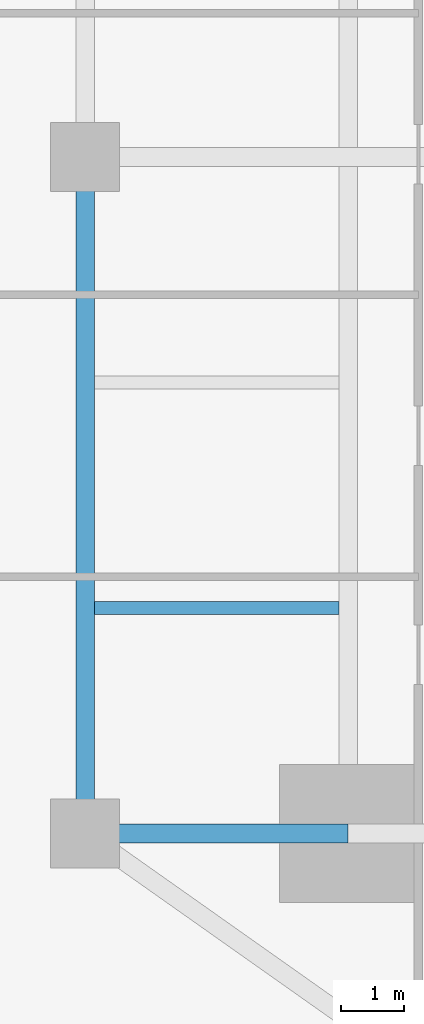
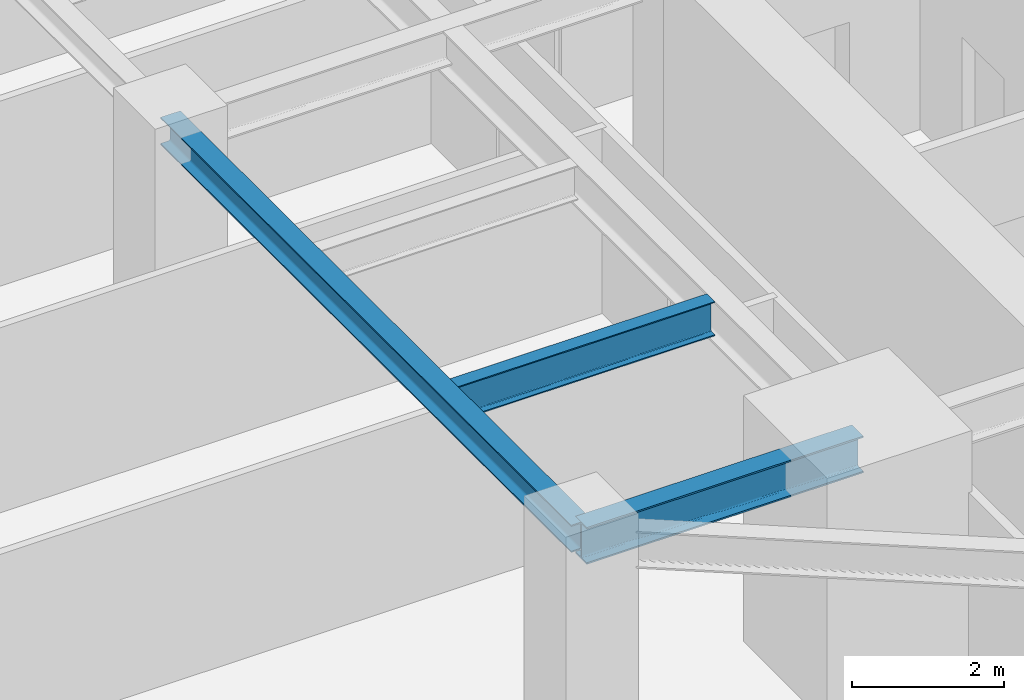
# One storey, part 7 of 29: 3 beams.
"""IFC4 building model written with IfcOpenShell, lengths in metres."""

from ifc_helpers import new_model, si_unit, direction, frame, origin, origin_2d, place, context, subcontext, project, spatial, i_section, extrude, source, transform, mapped, material, material_profile, profile_set, type_object, type_shapes, element, save


model = new_model("IFC4")

# Units and contexts
model_context = context("Model", 3, precision=1e-05, world=origin(), true_north=direction((0.0, 1.0)))
body_context = subcontext(model_context, "Body", "Model", "MODEL_VIEW")
ifc_project = project(units=[si_unit("LENGTHUNIT", "METRE"), si_unit("AREAUNIT", "SQUARE_METRE"), si_unit("VOLUMEUNIT", "CUBIC_METRE"), si_unit("PLANEANGLEUNIT", "RADIAN"), si_unit("MASSUNIT", "GRAM", prefix="KILO")], contexts=[model_context])

# Site, building, storey
site_placement = place(None, origin())
site = spatial("IfcSite", under=ifc_project, at=site_placement, CompositionType="ELEMENT")
building_placement = place(site_placement, origin())
building = spatial("IfcBuilding", under=site, at=building_placement, Name="Krantzveldt Concourse Tower", CompositionType="ELEMENT")
storey_placement = place(building_placement, frame((0.0, 0.0, 68.449951171875)))
storey = spatial("IfcBuildingStorey", under=building, at=storey_placement, Name="L16", CompositionType="ELEMENT", Elevation=68.449951171875)

# Beams
ifc_material = material(Name="Steel S355JR", Category="steel")
ifc_material_profile_1 = material_profile(ifc_material, i_section(OverallWidth=0.300048828125, OverallDepth=0.43994140625, WebThickness=0.011474609375, FlangeThickness=0.02099609375, FilletRadius=0.027099609375, at=origin_2d()), Name="Steel S355JR", Category="steel")
ifc_profile_set_1 = profile_set([ifc_material_profile_1], Name="Steel S355JR - HEA 450")
beam_type_1 = type_object("IfcBeamType", Name="BM-SP-HEA450", PredefinedType="SPANDREL", material=ifc_profile_set_1)
shared_shape_1 = source(origin(), body_context, "Body", "SweptSolid", [
    extrude(i_section(OverallWidth=0.300048828125, OverallDepth=0.43994140625, WebThickness=0.011474609375, FlangeThickness=0.02099609375, FilletRadius=0.027099609375, at=origin_2d()), origin(), (0.0, 0.0, 1.0), 10.800048828125),
])
type_shapes(beam_type_1, [shared_shape_1])
beam_1_placement = place(storey_placement, frame((21.0, 15.89990234375, 3.449951171875), z_axis=(0.0, 1.0, 0.0), x_axis=(-1.0, 0.0, 0.0)))
element("IfcBeam", 1, at=beam_1_placement, inside=storey, type_object=beam_type_1, Name="L16 Tower Girder SP-R01", PredefinedType="SPANDREL", context=body_context, shape_type="MappedRepresentation", body=[
    mapped(shared_shape_1, transform((0.0, 0.0, 0.0), x_axis=(1.0, 0.0, 0.0), y_axis=(0.0, 1.0, 0.0), z_axis=(0.0, 0.0, 1.0), scale=1.0)),
])
ifc_material_profile_2 = material_profile(ifc_material, i_section(OverallWidth=0.300048828125, OverallDepth=0.590087890625, WebThickness=0.012939453125, FlangeThickness=0.02490234375, FilletRadius=0.027099609375, at=origin_2d()), Name="Steel S355JR", Category="steel")
ifc_profile_set_2 = profile_set([ifc_material_profile_2], Name="Steel S355JR - HEA 600")
beam_type_2 = type_object("IfcBeamType", Name="BM-B-HEA600", PredefinedType="BEAM", material=ifc_profile_set_2)
shared_shape_2 = source(origin(), body_context, "Body", "SweptSolid", [
    extrude(i_section(OverallWidth=0.300048828125, OverallDepth=0.590087890625, WebThickness=0.012939453125, FlangeThickness=0.02490234375, FilletRadius=0.027099609375, at=origin_2d()), origin(), (0.0, 0.0, 1.0), 4.199951171875),
])
type_shapes(beam_type_2, [shared_shape_2])
beam_2_placement = place(storey_placement, frame((21.0, 15.89990234375, 3.375), z_axis=(1.0, 0.0, 0.0), x_axis=(0.0, 1.0, 0.0)))
element("IfcBeam", 2, at=beam_2_placement, inside=storey, type_object=beam_type_2, Name="L16 Tower Girder BR-RL1", PredefinedType="BEAM", context=body_context, shape_type="MappedRepresentation", body=[
    mapped(shared_shape_2, transform((0.0, 0.0, 0.0), x_axis=(1.0, 0.0, 0.0), y_axis=(0.0, 1.0, 0.0), z_axis=(0.0, 0.0, 1.0), scale=1.0)),
])
ifc_material_profile_3 = material_profile(ifc_material, i_section(OverallWidth=0.2099609375, OverallDepth=0.550048828125, WebThickness=0.010986328125, FlangeThickness=0.01708984375, FilletRadius=0.02392578125, at=origin_2d()), Name="Steel S355JR", Category="steel")
ifc_profile_set_3 = profile_set([ifc_material_profile_3], Name="Steel S355JR - IPE 550")
beam_type_3 = type_object("IfcBeamType", Name="BM-J-IPE550", PredefinedType="JOIST", material=ifc_profile_set_3)
shared_shape_3 = source(origin(), body_context, "Body", "SweptSolid", [
    extrude(i_section(OverallWidth=0.2099609375, OverallDepth=0.550048828125, WebThickness=0.010986328125, FlangeThickness=0.01708984375, FilletRadius=0.02392578125, at=origin_2d()), origin(), (0.0, 0.0, 1.0), 3.900146484375),
])
type_shapes(beam_type_3, [shared_shape_3])
beam_3_placement = place(storey_placement, frame((21.14990234375, 19.5, 3.39501953125), z_axis=(1.0, 0.0, 0.0), x_axis=(0.0, 1.0, 0.0)))
element("IfcBeam", 3, at=beam_3_placement, inside=storey, type_object=beam_type_3, Name="L16 Secondary Floor Joist JW-1", PredefinedType="JOIST", context=body_context, shape_type="MappedRepresentation", body=[
    mapped(shared_shape_3, transform((0.0, 0.0, 0.0), x_axis=(1.0, 0.0, 0.0), y_axis=(0.0, 1.0, 0.0), z_axis=(0.0, 0.0, 1.0), scale=1.0)),
])

save(model, "model.ifc")
